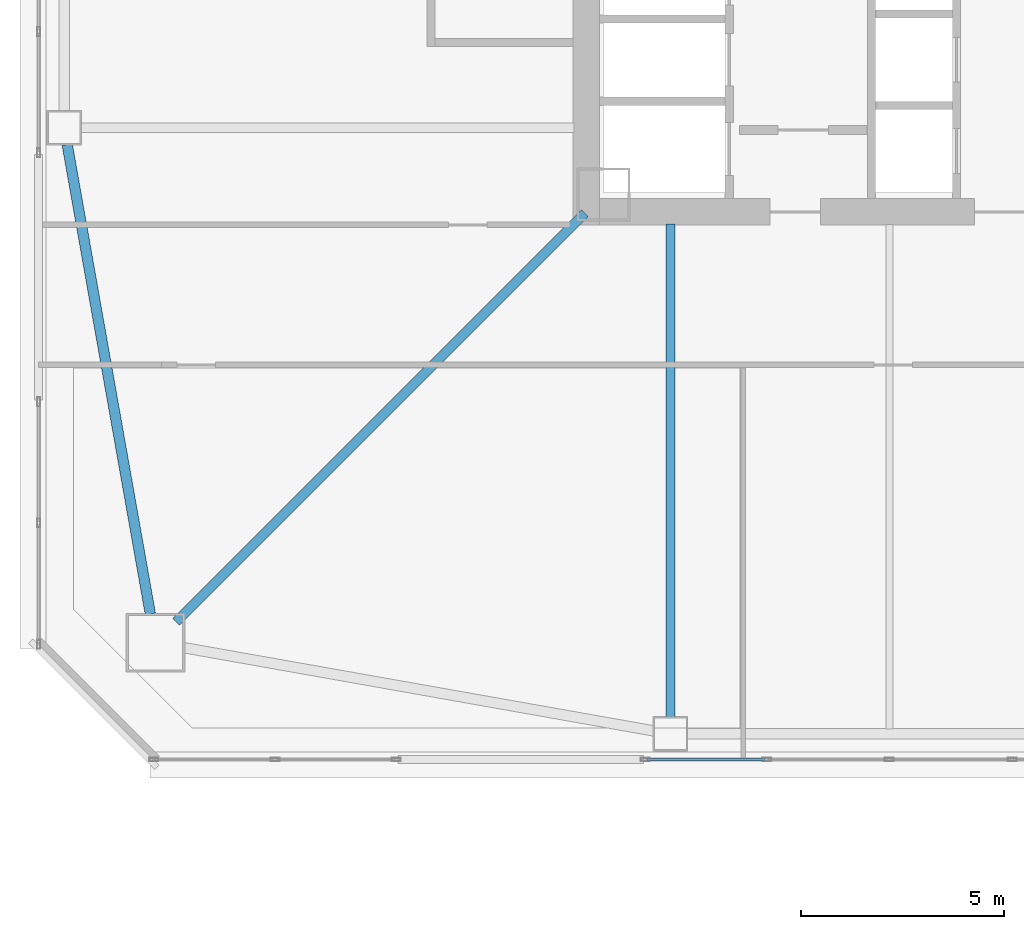
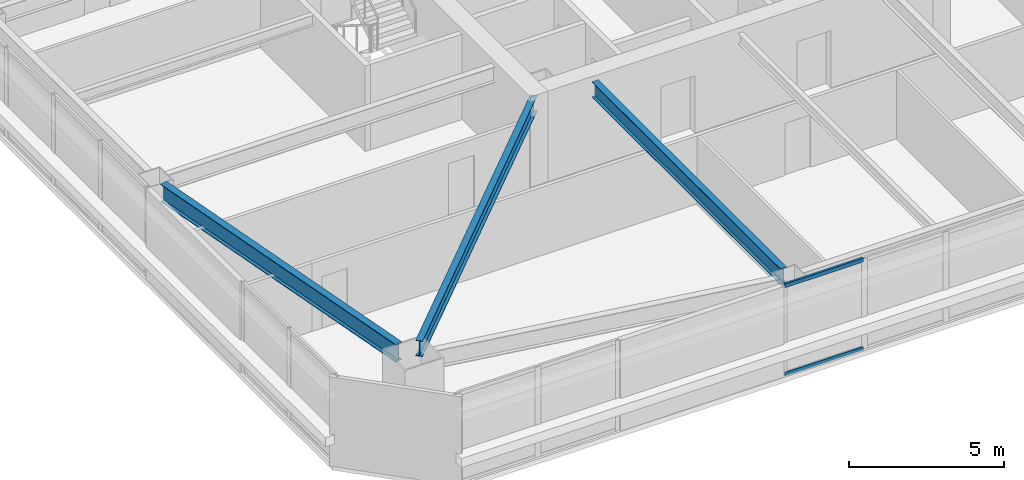
# One storey, part 4 of 44: 3 beams, 2 members, 1 element without a shape of its own.
"""IFC4 building model written with IfcOpenShell, lengths in metres."""

from ifc_helpers import new_model, si_unit, direction, frame, origin, origin_2d, place, context, subcontext, project, spatial, hollow_rectangle, i_section, extrude, material, material_profile, profile_set, type_object, element, aggregate, save


model = new_model("IFC4")

# Units and contexts
model_context = context("Model", 3, precision=1e-05, world=origin(), true_north=direction((0.0, 1.0)))
body_context = subcontext(model_context, "Body", "Model", "MODEL_VIEW")
ifc_project = project(units=[si_unit("LENGTHUNIT", "METRE"), si_unit("AREAUNIT", "SQUARE_METRE"), si_unit("VOLUMEUNIT", "CUBIC_METRE"), si_unit("PLANEANGLEUNIT", "RADIAN"), si_unit("MASSUNIT", "GRAM", prefix="KILO")], contexts=[model_context])

# Site, building, storey
site_placement = place(None, origin())
site = spatial("IfcSite", under=ifc_project, at=site_placement, CompositionType="ELEMENT")
building_placement = place(site_placement, origin())
building = spatial("IfcBuilding", under=site, at=building_placement, Name="Tashvorn Skyway Center", CompositionType="ELEMENT")
storey_placement = place(building_placement, frame((0.0, 0.0, 84.949951171875)))
storey = spatial("IfcBuildingStorey", under=building, at=storey_placement, Name="L22", CompositionType="ELEMENT", Elevation=84.949951171875)

# Beams
ifc_material_1 = material(Name="Steel ASTM A992 Grade 50", Category="steel")
ifc_material_profile_1 = material_profile(ifc_material_1, i_section(OverallWidth=0.22998046875, OverallDepth=0.616943359375, WebThickness=0.01318359375, FlangeThickness=0.022216796875, at=origin_2d()), Name="W24X94")
ifc_profile_set_1 = profile_set([ifc_material_profile_1], Name="Steel ASTM A992 Grade 50")
beam_type_1 = type_object("IfcBeamType", Name="BM-BEAM-W24X94", PredefinedType="BEAM", material=ifc_profile_set_1)
beam_1_placement = place(storey_placement, frame((24.4091796875, 14.4091796875, 3.04150390625), z_axis=(0.707106781187, 0.707106781187, 0.0), x_axis=(-0.707106781187, 0.707106781187, 0.0)))
element("IfcBeam", 1, at=beam_1_placement, inside=storey, type_object=beam_type_1, Name="Tower 1 L22 Primary Floor Girder MC-SW", PredefinedType="BEAM", context=body_context, shape_type="SweptSolid", body=[
    extrude(i_section(OverallWidth=0.22998046875, OverallDepth=0.616943359375, WebThickness=0.01318359375, FlangeThickness=0.022216796875, at=origin_2d()), origin(), (0.0, 0.0, 1.0), 14.261962890625),
])
beam_2_placement = place(storey_placement, frame((36.60009765625, 12.070068359375, 3.04150390625), z_axis=(0.0, 1.0, 0.0), x_axis=(-1.0, 0.0, 0.0)))
element("IfcBeam", 2, at=beam_2_placement, inside=storey, type_object=beam_type_1, Name="Tower 1 L22 Primary Floor Girder FC-S1", PredefinedType="BEAM", context=body_context, shape_type="SweptSolid", body=[
    extrude(i_section(OverallWidth=0.22998046875, OverallDepth=0.616943359375, WebThickness=0.01318359375, FlangeThickness=0.022216796875, at=origin_2d()), origin(), (0.0, 0.0, 1.0), 12.14990234375),
])
ifc_material_profile_2 = material_profile(ifc_material_1, i_section(OverallWidth=0.256103515625, OverallDepth=0.693115234375, WebThickness=0.014404296875, FlangeThickness=0.023681640625, at=origin_2d()), Name="W27X114")
ifc_profile_set_2 = profile_set([ifc_material_profile_2], Name="Steel ASTM A992 Grade 50")
beam_type_2 = type_object("IfcBeamType", Name="BM-SPANDREL-W27X114", PredefinedType="SPANDREL", material=ifc_profile_set_2)
beam_3_placement = place(storey_placement, frame((21.723388671875, 26.1865234375, 3.003662109375), z_axis=(0.174437966698, -0.98466816531, 0.0), x_axis=(0.98466816531, 0.174437966698, 0.0)))
element("IfcBeam", 3, at=beam_3_placement, inside=storey, type_object=beam_type_2, Name="Tower 1 L22 Spandrel Beam 12", PredefinedType="SPANDREL", context=body_context, shape_type="SweptSolid", body=[
    extrude(i_section(OverallWidth=0.256103515625, OverallDepth=0.693115234375, WebThickness=0.014404296875, FlangeThickness=0.023681640625, at=origin_2d()), origin(), (0.0, 0.0, 1.0), 11.7578125),
])

# Curtain wall, members
ifc_material_2 = material(Name="Thermally broken bronze-anodized aluminium 6063-T6", Category="aluminium")
curtain_wall_type = type_object("IfcCurtainWallType", Name="CW-CW-Z2", PredefinedType="NOTDEFINED", material=ifc_material_2)
curtain_wall_placement = place(storey_placement, origin())
curtain_wall = element("IfcCurtainWall", 4, at=curtain_wall_placement, inside=storey, type_object=curtain_wall_type, Name="Tower 1 L22 South Unitised Curtain Wall Glazing Group 2", PredefinedType="NOTDEFINED")
ifc_material_profile_3 = material_profile(ifc_material_2, hollow_rectangle(XDim=0.080078125, YDim=0.14990234375, WallThickness=0.00439453125, at=origin_2d()), Name="ALU-TRAN-80x150")
ifc_profile_set_3 = profile_set([ifc_material_profile_3], Name="Thermally broken bronze-anodized aluminium 6063-T6")
member_type = type_object("IfcMemberType", Name="CWT-CW-Z2", PredefinedType="USERDEFINED", material=ifc_profile_set_3)
member_1_placement = place(storey_placement, frame((38.929931640625, 11.02001953125, 0.0400390625), z_axis=(-1.0, 0.0, 0.0), x_axis=(0.0, -1.0, 0.0)))
member_1 = element("IfcMember", 5, at=member_1_placement, type_object=member_type, Name="CW-Z2 transom 4.1", ObjectType="TRANSOM", PredefinedType="USERDEFINED", context=body_context, shape_type="SweptSolid", body=[
    extrude(hollow_rectangle(XDim=0.080078125, YDim=0.14990234375, WallThickness=0.00439453125, at=origin_2d()), origin(), (0.0, 0.0, 1.0), 2.909912109375),
])
member_2_placement = place(storey_placement, frame((38.929931640625, 11.02001953125, 3.510009765625), z_axis=(-1.0, 0.0, 0.0), x_axis=(0.0, -1.0, 0.0)))
member_2 = element("IfcMember", 6, at=member_2_placement, type_object=member_type, Name="CW-Z2 transom 4.2", ObjectType="TRANSOM", PredefinedType="USERDEFINED", context=body_context, shape_type="SweptSolid", body=[
    extrude(hollow_rectangle(XDim=0.080078125, YDim=0.14990234375, WallThickness=0.00439453125, at=origin_2d()), origin(), (0.0, 0.0, 1.0), 2.909912109375),
])
aggregate(curtain_wall, [member_1, member_2])

save(model, "model.ifc")
